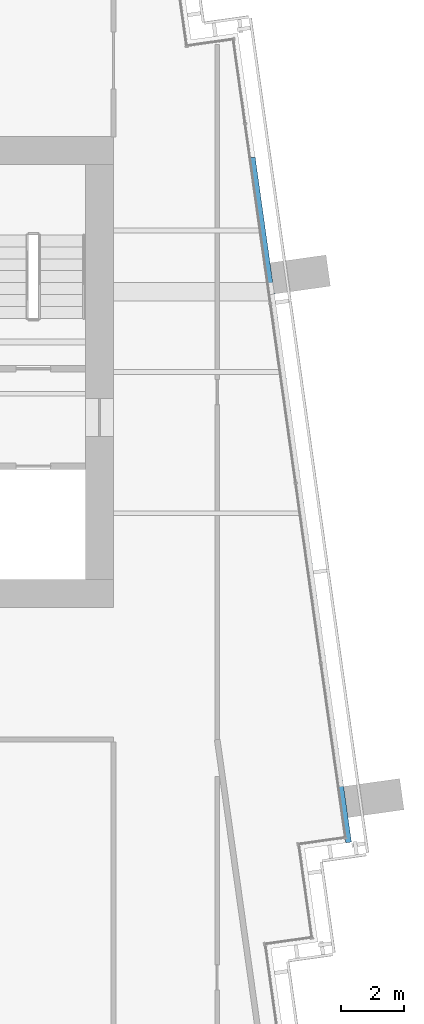
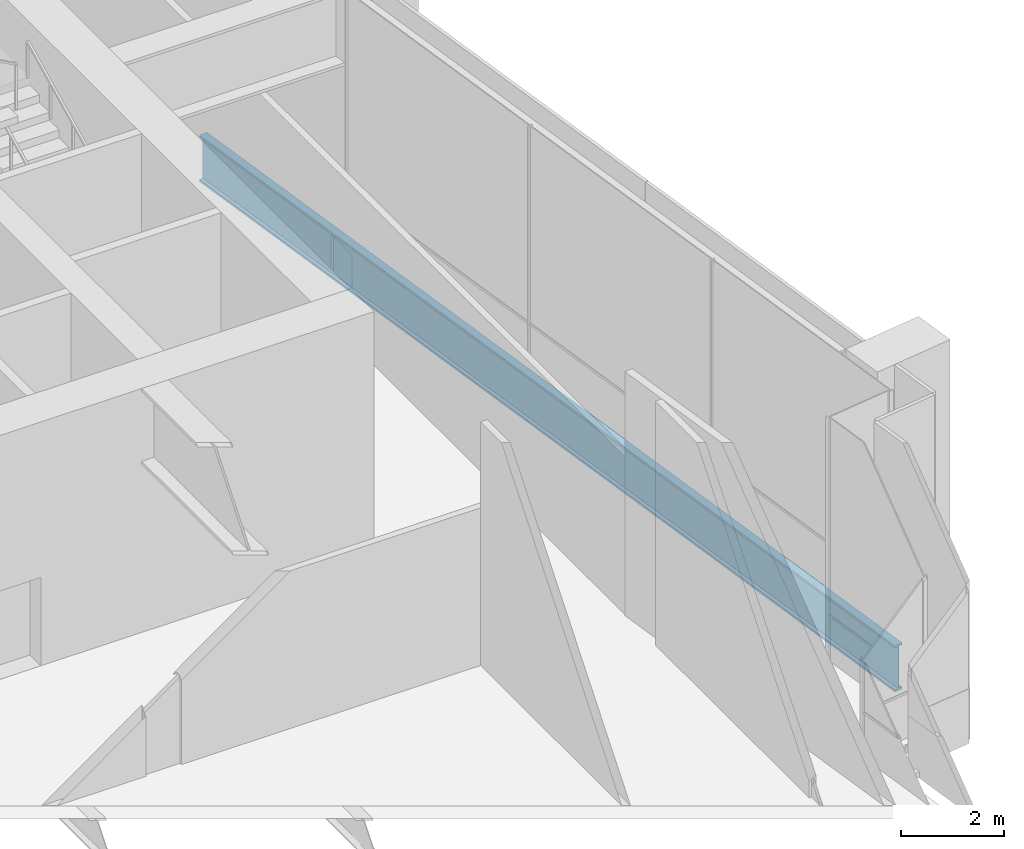
# One storey, part 9 of 25: 1 beam.
"""IFC4 building model written with IfcOpenShell, lengths in metres."""

from ifc_helpers import new_model, si_unit, direction, frame, origin, origin_2d, place, context, subcontext, project, spatial, i_section, extrude, material, material_profile, profile_set, type_object, element, save


model = new_model("IFC4")

# Units and contexts
model_context = context("Model", 3, precision=1e-05, world=origin(), true_north=direction((0.0, 1.0)))
body_context = subcontext(model_context, "Body", "Model", "MODEL_VIEW")
ifc_project = project(units=[si_unit("LENGTHUNIT", "METRE"), si_unit("AREAUNIT", "SQUARE_METRE"), si_unit("VOLUMEUNIT", "CUBIC_METRE"), si_unit("PLANEANGLEUNIT", "RADIAN"), si_unit("MASSUNIT", "GRAM", prefix="KILO")], contexts=[model_context])

# Site, building, storey
site_placement = place(None, origin())
site = spatial("IfcSite", under=ifc_project, at=site_placement, CompositionType="ELEMENT")
building_placement = place(site_placement, origin())
building = spatial("IfcBuilding", under=site, at=building_placement, Name="Rattan Terrace Tower", CompositionType="ELEMENT")
storey_placement = place(building_placement, frame((0.0, 0.0, 286.300048828125)))
storey = spatial("IfcBuildingStorey", under=building, at=storey_placement, Name="L66", CompositionType="ELEMENT", Elevation=286.300048828125)

# Beam
ifc_material = material(Name="Steel S460", Category="steel")
ifc_material_profile = material_profile(ifc_material, i_section(OverallWidth=0.179931640625, OverallDepth=1.10009765625, WebThickness=0.01611328125, FlangeThickness=0.050048828125, at=origin_2d()), Name="PG 1100x180-16-50")
ifc_profile_set = profile_set([ifc_material_profile], Name="Steel S460")
beam_type = type_object("IfcBeamType", Name="Frame edge girder PG 1100x180-16-50", PredefinedType="SPANDREL", material=ifc_profile_set)
beam_placement = place(storey_placement, frame((22.4189453125, 6.822998046875, -0.75), z_axis=(0.139180574959, -0.990267018311, 0.0), x_axis=(0.990267018311, 0.139180574959, 0.0)))
element("IfcBeam", 1, at=beam_placement, inside=storey, type_object=beam_type, Name="gdr-L66-004", PredefinedType="SPANDREL", context=body_context, shape_type="SweptSolid", body=[
    extrude(i_section(OverallWidth=0.179931640625, OverallDepth=1.10009765625, WebThickness=0.01611328125, FlangeThickness=0.050048828125, at=origin_2d()), origin(), (0.0, 0.0, 1.0), 22.014404296875),
])

save(model, "model.ifc")
